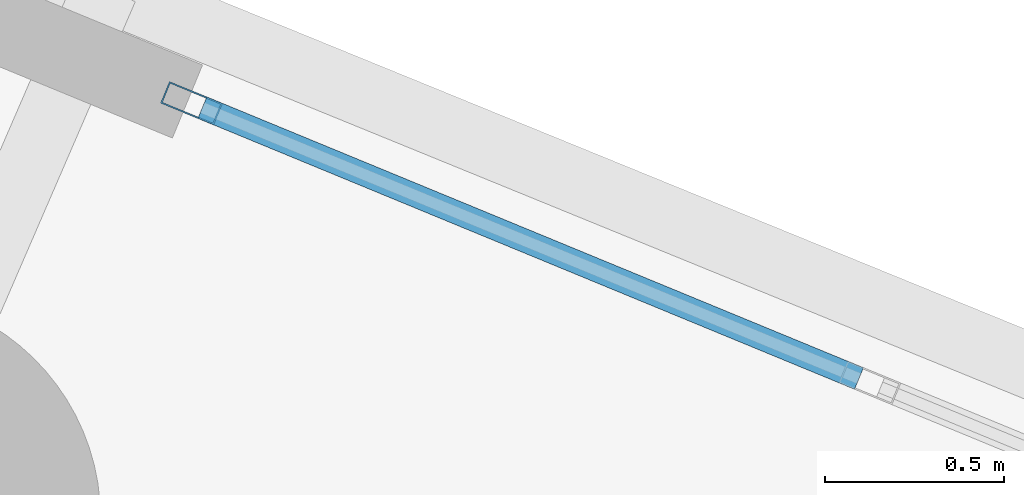
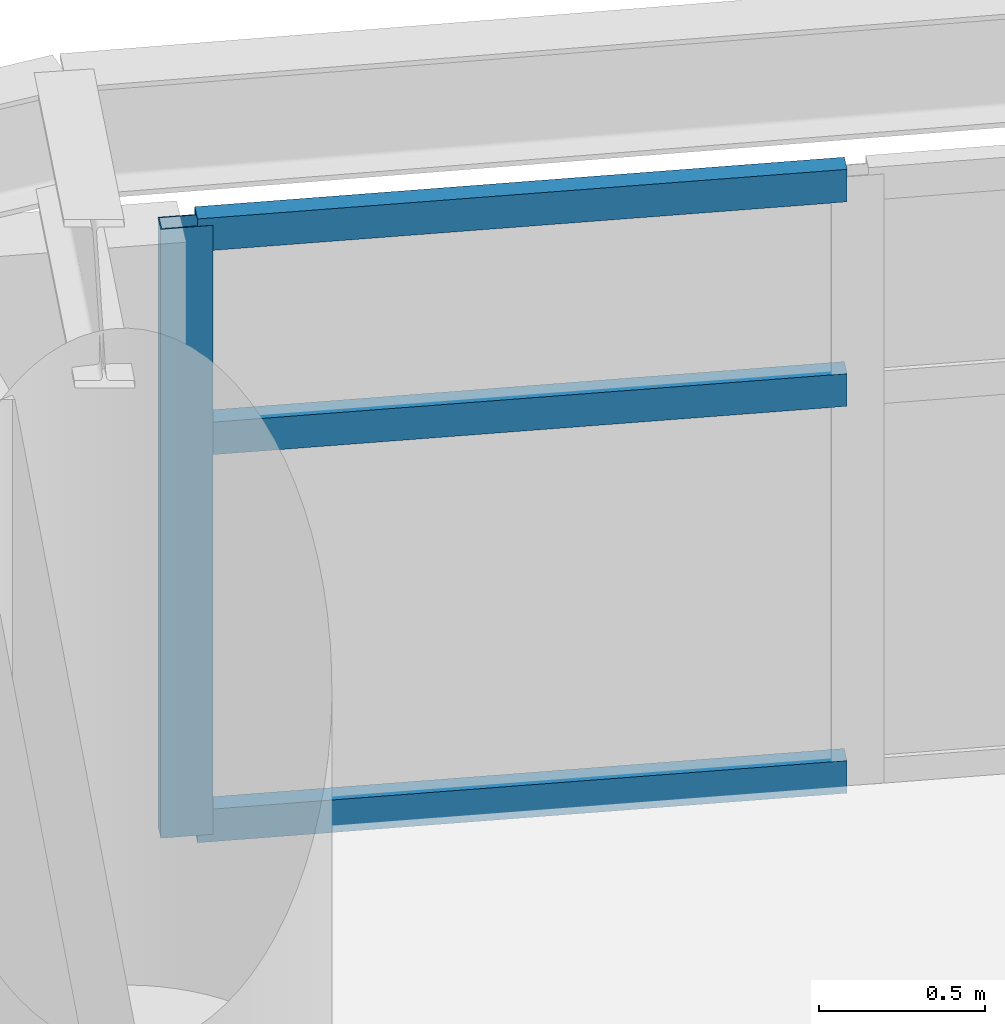
# One storey, part 7 of 17: 4 members, 1 element without a shape of its own.
"""IFC4 building model written with IfcOpenShell, lengths in metres."""

from ifc_helpers import new_model, si_unit, direction, frame, origin, origin_2d, place, context, subcontext, project, spatial, hollow_rectangle, extrude, material, layer, layer_set, material_profile, profile_set, type_object, element, aggregate, save


model = new_model("IFC4")

# Units and contexts
model_context = context("Model", 3, precision=1e-05, world=origin(), true_north=direction((0.0, 1.0)))
body_context = subcontext(model_context, "Body", "Model", "MODEL_VIEW")
ifc_project = project(units=[si_unit("LENGTHUNIT", "METRE"), si_unit("AREAUNIT", "SQUARE_METRE"), si_unit("VOLUMEUNIT", "CUBIC_METRE"), si_unit("PLANEANGLEUNIT", "RADIAN"), si_unit("MASSUNIT", "GRAM", prefix="KILO")], contexts=[model_context])

# Site, building, storey
site_placement = place(None, origin())
site = spatial("IfcSite", under=ifc_project, at=site_placement, CompositionType="ELEMENT")
building_placement = place(site_placement, origin())
building = spatial("IfcBuilding", under=site, at=building_placement, Name="Cununo Teusaquillo Station Towers", CompositionType="ELEMENT")
storey_placement = place(building_placement, frame((0.0, 0.0, 174.8798828125)))
storey = spatial("IfcBuildingStorey", under=building, at=storey_placement, Name="L55", CompositionType="ELEMENT", Elevation=174.8798828125)

# Curtain wall, members
ifc_material_1 = material(Name="Operable acoustic tinted low-E double glazing", Category="glass")
ifc_layer = layer(ifc_material_1, 0.179931640625)
ifc_layer_set = layer_set([ifc_layer], Name="Operable acoustic tinted low-E double glazing")
curtain_wall_type = type_object("IfcCurtainWallType", Name="CW-SYS-06", PredefinedType="USERDEFINED", material=ifc_layer_set)
curtain_wall_placement = place(storey_placement, origin())
curtain_wall = element("IfcCurtainWall", 1, at=curtain_wall_placement, inside=storey, type_object=curtain_wall_type, Name="L55 Tower B Facade Curtain Wall C01", ObjectType="OPERABLE GLAZING", PredefinedType="USERDEFINED")
ifc_material_2 = material(Name="Anodised dark bronze aluminium EN AW-6063-T6", Category="aluminium")
ifc_material_profile_1 = material_profile(ifc_material_2, hollow_rectangle(XDim=0.06494140625, YDim=0.159912109375, WallThickness=0.00390625, at=origin_2d()), Name="CW-MULL-65x160")
ifc_profile_set_1 = profile_set([ifc_material_profile_1], Name="Anodised dark bronze aluminium EN AW-6063-T6")
member_type_1 = type_object("IfcMemberType", Name="CWM-160", PredefinedType="MULLION", material=ifc_profile_set_1)
member_1_placement = place(storey_placement, frame((59.16943359375, 38.791015625, 0.0), z_axis=(0.0, 0.0, 1.0), x_axis=(0.381229322376, 0.924480504803, 0.0)))
member_1 = element("IfcMember", 2, at=member_1_placement, type_object=member_type_1, Name="CW-06 mullion 1", PredefinedType="MULLION", context=body_context, shape_type="SweptSolid", body=[
    extrude(hollow_rectangle(XDim=0.06494140625, YDim=0.159912109375, WallThickness=0.00390625, at=origin_2d()), origin(), (0.0, 0.0, 1.0), 2.2451171875),
])
ifc_material_3 = material(Name="Anodised dark bronze aluminium EN AW-6063-T6", Category="aluminium")
ifc_material_profile_2 = material_profile(ifc_material_3, hollow_rectangle(XDim=0.06494140625, YDim=0.1201171875, WallThickness=0.00390625, at=origin_2d()), Name="CW-TRAN-65x120")
ifc_profile_set_2 = profile_set([ifc_material_profile_2], Name="Anodised dark bronze aluminium EN AW-6063-T6")
member_type_2 = type_object("IfcMemberType", Name="CWT-120", PredefinedType="USERDEFINED", material=ifc_profile_set_2)
member_2_placement = place(storey_placement, frame((59.199462890625, 38.77880859375, 0.03271484375), z_axis=(0.924450559311, -0.381301932056, 0.0), x_axis=(0.381301932056, 0.924450559311, 0.0)))
member_2 = element("IfcMember", 3, at=member_2_placement, type_object=member_type_2, Name="CW-06 transom 1.1", ObjectType="TRANSOM", PredefinedType="USERDEFINED", context=body_context, shape_type="SweptSolid", body=[
    extrude(hollow_rectangle(XDim=0.06494140625, YDim=0.1201171875, WallThickness=0.00390625, at=origin_2d()), origin(), (0.0, 0.0, 1.0), 1.97900390625),
])
member_3_placement = place(storey_placement, frame((59.199462890625, 38.77880859375, 1.459228515625), z_axis=(0.924450559311, -0.381301932056, 0.0), x_axis=(0.381301932056, 0.924450559311, 0.0)))
member_3 = element("IfcMember", 4, at=member_3_placement, type_object=member_type_2, Name="CW-06 transom 1.2", ObjectType="TRANSOM", PredefinedType="USERDEFINED", context=body_context, shape_type="SweptSolid", body=[
    extrude(hollow_rectangle(XDim=0.06494140625, YDim=0.1201171875, WallThickness=0.00390625, at=origin_2d()), origin(), (0.0, 0.0, 1.0), 1.97900390625),
])
member_4_placement = place(storey_placement, frame((59.199462890625, 38.77880859375, 2.212646484375), z_axis=(0.924450559311, -0.381301932056, 0.0), x_axis=(0.381301932056, 0.924450559311, 0.0)))
member_4 = element("IfcMember", 5, at=member_4_placement, type_object=member_type_2, Name="CW-06 transom 1.3", ObjectType="TRANSOM", PredefinedType="USERDEFINED", context=body_context, shape_type="SweptSolid", body=[
    extrude(hollow_rectangle(XDim=0.06494140625, YDim=0.1201171875, WallThickness=0.00390625, at=origin_2d()), origin(), (0.0, 0.0, 1.0), 1.97900390625),
])
aggregate(curtain_wall, [member_1, member_2, member_3, member_4])

save(model, "model.ifc")
